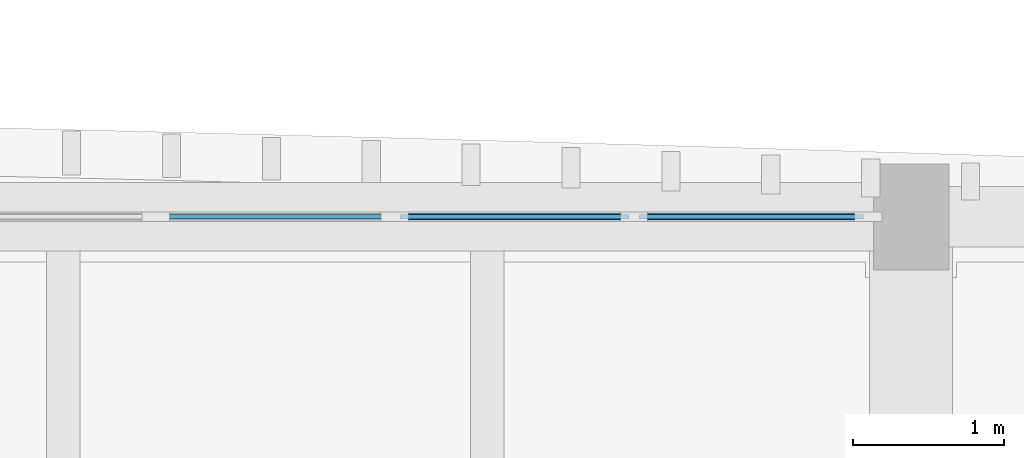
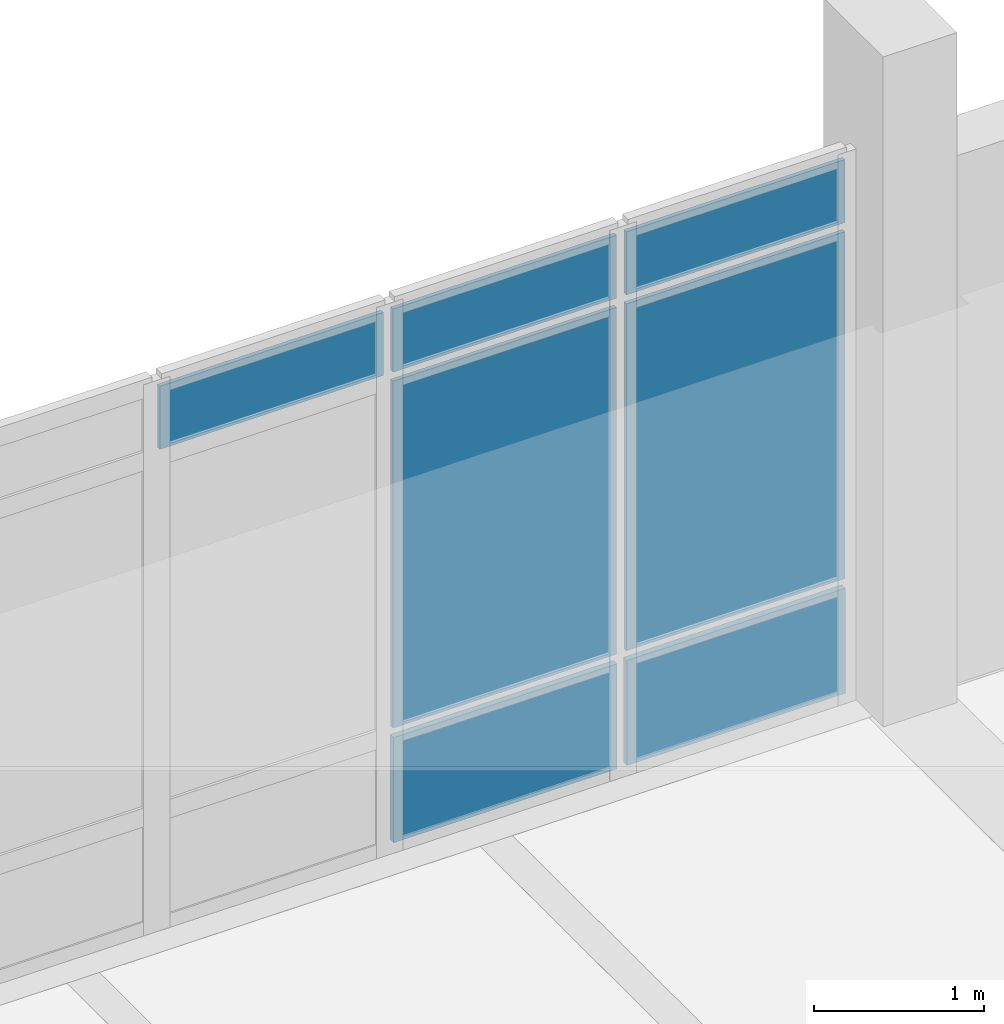
# One storey, part 58 of 101: 7 plates, 1 element without a shape of its own.
"""IFC4 building model written with IfcOpenShell, lengths in metres."""

from ifc_helpers import new_model, si_unit, direction, frame, origin, origin_2d, place, context, subcontext, project, spatial, rectangle, extrude, material, layer, layer_set, type_object, element, aggregate, save


model = new_model("IFC4")

# Units and contexts
model_context = context("Model", 3, precision=1e-05, world=origin(), true_north=direction((0.0, 1.0)))
body_context = subcontext(model_context, "Body", "Model", "MODEL_VIEW")
ifc_project = project(units=[si_unit("LENGTHUNIT", "METRE"), si_unit("AREAUNIT", "SQUARE_METRE"), si_unit("VOLUMEUNIT", "CUBIC_METRE"), si_unit("PLANEANGLEUNIT", "RADIAN"), si_unit("MASSUNIT", "GRAM", prefix="KILO")], contexts=[model_context])

# Site, building, storey
site_placement = place(None, origin())
site = spatial("IfcSite", under=ifc_project, at=site_placement, CompositionType="ELEMENT")
building_placement = place(site_placement, origin())
building = spatial("IfcBuilding", under=site, at=building_placement, Name="Dornvale Research Institute", CompositionType="ELEMENT")
storey_placement = place(building_placement, frame((0.0, 0.0, 10.199951171875)))
storey = spatial("IfcBuildingStorey", under=building, at=storey_placement, Name="L02", CompositionType="ELEMENT", Elevation=10.199951171875)

# Curtain wall, plates
ifc_material_1 = material(Name="Low-E Argon Double Insulating Glazing Unit", Category="glass")
curtain_wall_type = type_object("IfcCurtainWallType", Name="UnitisedCurtainWall_V4_7900x3950", PredefinedType="USERDEFINED", material=ifc_material_1)
curtain_wall_placement = place(storey_placement, origin())
curtain_wall = element("IfcCurtainWall", 1, at=curtain_wall_placement, inside=storey, type_object=curtain_wall_type, Name="L02 V4 unitised curtain wall CW-12 #85", ObjectType="UNITISED CURTAIN WALL", PredefinedType="USERDEFINED")
ifc_material_2 = material(Name="Insulated Ceramic-Frit Spandrel Glass Panel", Category="glass")
ifc_layer_1 = layer(ifc_material_2, 0.0419921875)
ifc_layer_set_1 = layer_set([ifc_layer_1], Name="Insulated Ceramic-Frit Spandrel Glass Panel")
plate_type_1 = type_object("IfcPlateType", Name="CurtainPanel_Spandrel_42", PredefinedType="CURTAIN_PANEL", material=ifc_layer_set_1)
plate_1_placement = place(storey_placement, frame((170.780029296875, 122.10009765625, 0.065185546875), z_axis=(0.0, 0.0, 1.0), x_axis=(1.0, 0.0, 0.0)))
plate_1 = element("IfcPlate", 2, at=plate_1_placement, type_object=plate_type_1, Name="CW-12 panel 4.1", PredefinedType="CURTAIN_PANEL", context=body_context, shape_type="SweptSolid", body=[
    extrude(rectangle(XDim=1.514892578125, YDim=0.0419921875, at=origin_2d()), origin(), (0.0, 0.0, 1.0), 0.75244140625),
])
plate_2_placement = place(storey_placement, frame((172.34375, 122.10009765625, 0.065185546875), z_axis=(0.0, 0.0, 1.0), x_axis=(1.0, 0.0, 0.0)))
plate_2 = element("IfcPlate", 3, at=plate_2_placement, type_object=plate_type_1, Name="CW-12 panel 5.1", PredefinedType="CURTAIN_PANEL", context=body_context, shape_type="SweptSolid", body=[
    extrude(rectangle(XDim=1.482421875, YDim=0.0419921875, at=origin_2d()), origin(), (0.0, 0.0, 1.0), 0.75244140625),
])
ifc_material_3 = material(Name="Low-E Argon Double Insulating Glazing Unit", Category="glass")
ifc_layer_2 = layer(ifc_material_3, 0.028076171875)
ifc_layer_set_2 = layer_set([ifc_layer_2], Name="Low-E Argon Double Insulating Glazing Unit")
plate_type_2 = type_object("IfcPlateType", Name="CurtainPanel_Vision_28", PredefinedType="CURTAIN_PANEL", material=ifc_layer_set_2)
plate_3_placement = place(storey_placement, frame((169.199951171875, 122.10009765625, 3.4326171875), z_axis=(0.0, 0.0, 1.0), x_axis=(1.0, 0.0, 0.0)))
plate_3 = element("IfcPlate", 4, at=plate_3_placement, type_object=plate_type_2, Name="CW-12 panel 3.3", PredefinedType="CURTAIN_PANEL", context=body_context, shape_type="SweptSolid", body=[
    extrude(rectangle(XDim=1.514892578125, YDim=0.028076171875, at=origin_2d()), origin(), (0.0, 0.0, 1.0), 0.452392578125),
])
plate_4_placement = place(storey_placement, frame((170.780029296875, 122.10009765625, 0.88232421875), z_axis=(0.0, 0.0, 1.0), x_axis=(1.0, 0.0, 0.0)))
plate_4 = element("IfcPlate", 5, at=plate_4_placement, type_object=plate_type_2, Name="CW-12 panel 4.2", PredefinedType="CURTAIN_PANEL", context=body_context, shape_type="SweptSolid", body=[
    extrude(rectangle(XDim=1.514892578125, YDim=0.028076171875, at=origin_2d()), origin(), (0.0, 0.0, 1.0), 2.485107421875),
])
plate_5_placement = place(storey_placement, frame((170.780029296875, 122.10009765625, 3.4326171875), z_axis=(0.0, 0.0, 1.0), x_axis=(1.0, 0.0, 0.0)))
plate_5 = element("IfcPlate", 6, at=plate_5_placement, type_object=plate_type_2, Name="CW-12 panel 4.3", PredefinedType="CURTAIN_PANEL", context=body_context, shape_type="SweptSolid", body=[
    extrude(rectangle(XDim=1.514892578125, YDim=0.028076171875, at=origin_2d()), origin(), (0.0, 0.0, 1.0), 0.452392578125),
])
plate_6_placement = place(storey_placement, frame((172.34375, 122.10009765625, 0.88232421875), z_axis=(0.0, 0.0, 1.0), x_axis=(1.0, 0.0, 0.0)))
plate_6 = element("IfcPlate", 7, at=plate_6_placement, type_object=plate_type_2, Name="CW-12 panel 5.2", PredefinedType="CURTAIN_PANEL", context=body_context, shape_type="SweptSolid", body=[
    extrude(rectangle(XDim=1.482421875, YDim=0.028076171875, at=origin_2d()), origin(), (0.0, 0.0, 1.0), 2.485107421875),
])
plate_7_placement = place(storey_placement, frame((172.34375, 122.10009765625, 3.4326171875), z_axis=(0.0, 0.0, 1.0), x_axis=(1.0, 0.0, 0.0)))
plate_7 = element("IfcPlate", 8, at=plate_7_placement, type_object=plate_type_2, Name="CW-12 panel 5.3", PredefinedType="CURTAIN_PANEL", context=body_context, shape_type="SweptSolid", body=[
    extrude(rectangle(XDim=1.482421875, YDim=0.028076171875, at=origin_2d()), origin(), (0.0, 0.0, 1.0), 0.452392578125),
])
aggregate(curtain_wall, [plate_3, plate_1, plate_4, plate_5, plate_2, plate_6, plate_7])

save(model, "model.ifc")
